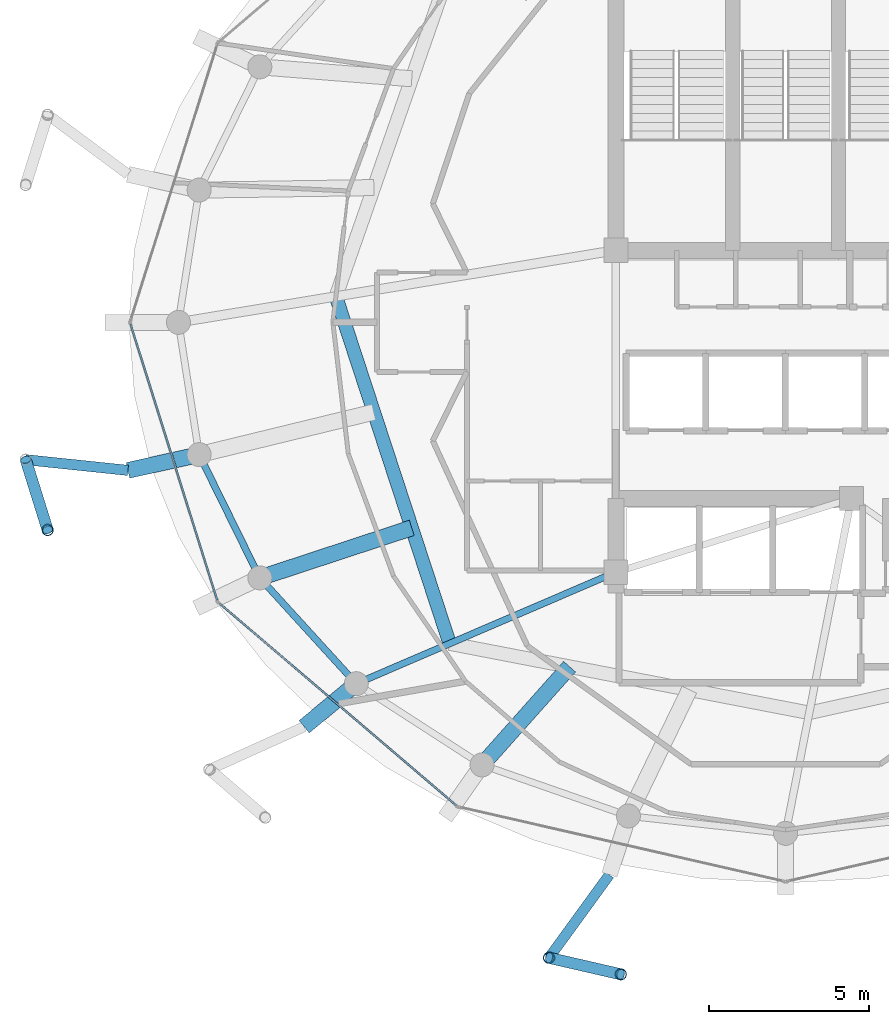
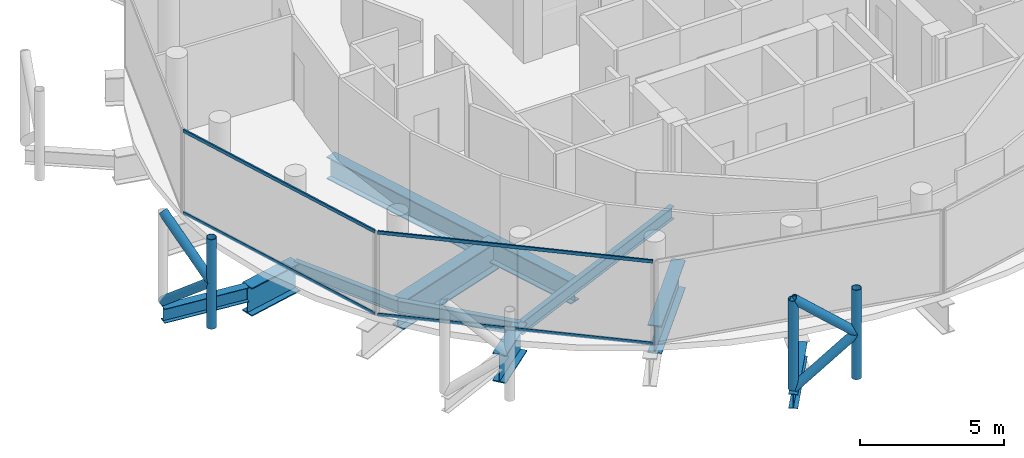
# One storey, part 3 of 25: 11 members, 10 beams, 2 elements without a shape of their own.
"""IFC4 building model written with IfcOpenShell, lengths in metres."""

import ifcopenshell
import ifcopenshell.guid

model = None  # the IFC model being written
_history = None  # IfcOwnerHistory: only IFC2X3 demands one
_inside = {}  # id of a spatial element -> (the spatial element, [elements in it])
_under = {}  # id of a project, library or spatial element -> (it, [spatial elements below it])
_declared = {}  # id of a project -> (the project, [libraries it declares])
_typed = {}  # id of a type object -> (the type object, [elements of that type])
_made_of = {}  # id of a material, layer set ... -> (it, [elements and type objects made of it])


def new_model(schema):
    """Start an empty IFC model of exactly this schema.

    Asked for "IFC4X3", IfcOpenShell would pick the latest addendum, in which some entities
    have other attributes; the version numbers below select the first issue.
    IFC2X3 requires an IfcOwnerHistory on every rooted entity: one is made here for all.
    """
    global model, _history
    if schema == "IFC4X3":
        model = ifcopenshell.file(schema_version=(4, 3, 0, 0))
    else:
        model = ifcopenshell.file(schema=schema)
    _inside.clear()
    _under.clear()
    _declared.clear()
    _typed.clear()
    _made_of.clear()
    _history = None
    if model.schema == "IFC2X3":
        org = make("IfcOrganization", Name="unknown")
        user = make(
            "IfcPersonAndOrganization",
            ThePerson=make("IfcPerson", FamilyName="unknown"),
            TheOrganization=org,
        )
        app = make(
            "IfcApplication",
            ApplicationDeveloper=org,
            Version="unknown",
            ApplicationFullName="unknown",
            ApplicationIdentifier="unknown",
        )
        _history = make(
            "IfcOwnerHistory",
            OwningUser=user,
            OwningApplication=app,
            ChangeAction="ADDED",
            CreationDate=0,
        )
    return model


def make(cls, **values):
    """One entity of the class cls with the attributes given. An attribute that is None is left unset."""
    return model.create_entity(
        cls, **{name: value for name, value in values.items() if value is not None}
    )


def rooted(cls, **values):
    """An entity with a GlobalId (a new one), such as an element, a storey or a relation."""
    return make(cls, GlobalId=ifcopenshell.guid.new(), OwnerHistory=_history, **values)


def si_unit(unit_type, name, prefix=None):
    """IfcSIUnit, for example si_unit("LENGTHUNIT", "METRE", prefix="MILLI")."""
    return make("IfcSIUnit", UnitType=unit_type, Prefix=prefix, Name=name)


def assignment(units):
    """IfcUnitAssignment: the units of a project."""
    return None if units is None else make("IfcUnitAssignment", Units=units)


def point(xyz):
    """IfcCartesianPoint."""
    return None if xyz is None else make("IfcCartesianPoint", Coordinates=xyz)


def direction(xyz):
    """IfcDirection."""
    return None if xyz is None else make("IfcDirection", DirectionRatios=xyz)


def frame(location, z_axis=None, x_axis=None):
    """IfcAxis2Placement3D, a coordinate frame: its origin and axes. An axis left out is left unset."""
    return make(
        "IfcAxis2Placement3D",
        Location=point(location),
        Axis=direction(z_axis),
        RefDirection=direction(x_axis),
    )


def frame_2d(location, x_axis=None):
    """IfcAxis2Placement2D, a coordinate frame in the plane: its origin and x axis."""
    return make(
        "IfcAxis2Placement2D", Location=point(location), RefDirection=direction(x_axis)
    )


def origin():
    """The frame at (0, 0, 0) with its axes left unset."""
    return frame((0.0, 0.0, 0.0))


def origin_2d():
    """The frame at (0, 0) in the plane with its x axis left unset."""
    return frame_2d((0.0, 0.0))


def place(relative_to, where):
    """IfcLocalPlacement: puts the frame where relative to a parent placement (None: the world)."""
    return make(
        "IfcLocalPlacement", PlacementRelTo=relative_to, RelativePlacement=where
    )


def context(
    kind, dimensions, precision=None, world=None, true_north=None, identifier=None
):
    """IfcGeometricRepresentationContext, for example the 3D "Model" context."""
    return make(
        "IfcGeometricRepresentationContext",
        ContextIdentifier=identifier,
        ContextType=kind,
        CoordinateSpaceDimension=dimensions,
        Precision=precision,
        WorldCoordinateSystem=world,
        TrueNorth=true_north,
    )


def subcontext(parent, identifier, kind, view, scale=None):
    """IfcGeometricRepresentationSubContext, for example "Body" below "Model"."""
    return make(
        "IfcGeometricRepresentationSubContext",
        ContextIdentifier=identifier,
        ContextType=kind,
        ParentContext=parent,
        TargetScale=scale,
        TargetView=view,
    )


def project(units=None, contexts=None):
    """IfcProject with its units and contexts."""
    return rooted(
        "IfcProject",
        Name="project",
        RepresentationContexts=contexts,
        UnitsInContext=assignment(units),
    )


def spatial(cls, under=None, at=None, **own):
    """A site, building, storey or space (cls), placed at a placement, below another one or the project."""
    s = rooted(cls, ObjectPlacement=at, **own)
    if under is not None:
        _under.setdefault(under.id(), (under, []))[1].append(s)
    return s


def profile(cls, at=None, kind="AREA", **sizes):
    """A parametric profile (cls). Its sizes go by their IFC names, for example OverallWidth=200.0."""
    return make(cls, ProfileType=kind, Position=at, **sizes)


def hollow_rectangle(**sizes):
    """IfcRectangleHollowProfileDef."""
    return profile("IfcRectangleHollowProfileDef", **sizes)


def hollow_circle(**sizes):
    """IfcCircleHollowProfileDef."""
    return profile("IfcCircleHollowProfileDef", **sizes)


def i_section(**sizes):
    """IfcIShapeProfileDef."""
    return profile("IfcIShapeProfileDef", **sizes)


def extrude(swept, where, along, depth):
    """IfcExtrudedAreaSolid: the profile swept, set in the frame where, extruded along a direction by depth."""
    return make(
        "IfcExtrudedAreaSolid",
        SweptArea=swept,
        Position=where,
        ExtrudedDirection=direction(along),
        Depth=depth,
    )


def shape(context_of_items, identifier, shape_type, items):
    """IfcShapeRepresentation: the items that make up one representation, for example the "Body"."""
    return make(
        "IfcShapeRepresentation",
        ContextOfItems=context_of_items,
        RepresentationIdentifier=identifier,
        RepresentationType=shape_type,
        Items=items,
    )


def material(Name=None, Category=None):
    """IfcMaterial."""
    return make("IfcMaterial", Name=Name, Category=Category)


def layer(
    of_material, thickness, ventilated=None, Name=None, Category=None, Priority=None
):
    """IfcMaterialLayer: one layer of a wall or slab, of a material (None: an air gap)."""
    return make(
        "IfcMaterialLayer",
        Material=of_material,
        LayerThickness=thickness,
        IsVentilated=ventilated,
        Name=Name,
        Category=Category,
        Priority=Priority,
    )


def layer_set(layers, Name=None):
    """IfcMaterialLayerSet."""
    return make("IfcMaterialLayerSet", MaterialLayers=layers, LayerSetName=Name)


def material_profile(
    of_material, cross_section, Name=None, Category=None, Priority=None
):
    """IfcMaterialProfile: a cross section and its material."""
    return make(
        "IfcMaterialProfile",
        Name=Name,
        Material=of_material,
        Profile=cross_section,
        Priority=Priority,
        Category=Category,
    )


def profile_set(profiles, Name=None, composite=None):
    """IfcMaterialProfileSet."""
    return make(
        "IfcMaterialProfileSet",
        Name=Name,
        MaterialProfiles=profiles,
        CompositeProfile=composite,
    )


def made_of(thing, what):
    """Note that an element or type object is made of a material, layer set ...; save() writes the relation."""
    if what is not None:
        _made_of.setdefault(what.id(), (what, []))[1].append(thing)
    return thing


def type_object(cls, material=None, **own):
    """A type object (cls), such as IfcWallType, which elements share."""
    return made_of(rooted(cls, **own), material)


def element(
    cls,
    number,
    at=None,
    inside=None,
    cuts=None,
    type_object=None,
    material=None,
    context=None,
    identifier="Body",
    shape_type=None,
    held_by="IfcProductDefinitionShape",
    body=None,
    shapes=None,
    **own,
):
    """One element of the class cls, such as IfcWall. Its Tag is "e" and its number.

    at: its placement. inside: the storey or other place that contains it. cuts: it is an
    opening in that element (IfcRelVoidsElement). A single representation is given by context,
    identifier, shape_type and body (its items); several are given by shapes. held_by: the class
    of the entity that holds the representations. save() writes the other relations.
    """
    e = rooted(cls, Tag="e%d" % number, ObjectPlacement=at, **own)
    if body is not None:
        shapes = [shape(context, identifier, shape_type, body)]
    if shapes is not None:
        e.Representation = make(held_by, Representations=shapes)
    if inside is not None:
        _inside.setdefault(inside.id(), (inside, []))[1].append(e)
    if cuts is not None:
        rooted(
            "IfcRelVoidsElement", RelatingBuildingElement=cuts, RelatedOpeningElement=e
        )
    if type_object is not None:
        _typed.setdefault(type_object.id(), (type_object, []))[1].append(e)
    return made_of(e, material)


def aggregate(whole, parts):
    """IfcRelAggregates: a whole, such as a stair, and the parts it consists of."""
    return rooted("IfcRelAggregates", RelatingObject=whole, RelatedObjects=parts)


def save(model, path):
    """Write the relations noted so far, then the file.

    IfcRelAggregates (storeys below a building ...), IfcRelContainedInSpatialStructure (elements
    in a storey), IfcRelDefinesByType, IfcRelAssociatesMaterial and IfcRelDeclares: one each for
    every whole, place, type object, material and project.
    """
    for whole, parts in _under.values():
        aggregate(whole, parts)
    for where, things in _inside.values():
        rooted(
            "IfcRelContainedInSpatialStructure",
            RelatedElements=things,
            RelatingStructure=where,
        )
    for kind, things in _typed.values():
        rooted("IfcRelDefinesByType", RelatedObjects=things, RelatingType=kind)
    for what, things in _made_of.values():
        rooted("IfcRelAssociatesMaterial", RelatedObjects=things, RelatingMaterial=what)
    for by, libraries in _declared.values():
        rooted("IfcRelDeclares", RelatingContext=by, RelatedDefinitions=libraries)
    model.write(path)


model = new_model("IFC4")

# Units and contexts
model_context = context("Model", 3, precision=1e-05, world=origin(), true_north=direction((0.0, 1.0)))
body_context = subcontext(model_context, "Body", "Model", "MODEL_VIEW")
ifc_project = project(units=[si_unit("LENGTHUNIT", "METRE"), si_unit("AREAUNIT", "SQUARE_METRE"), si_unit("VOLUMEUNIT", "CUBIC_METRE"), si_unit("PLANEANGLEUNIT", "RADIAN"), si_unit("MASSUNIT", "GRAM", prefix="KILO")], contexts=[model_context])

# Site, building, storey
site_placement = place(None, origin())
site = spatial("IfcSite", under=ifc_project, at=site_placement, CompositionType="ELEMENT")
building_placement = place(site_placement, origin())
building = spatial("IfcBuilding", under=site, at=building_placement, Name="Nuhasar Tower", CompositionType="ELEMENT")
storey_placement = place(building_placement, frame((0.0, 0.0, 255.60009765625)))
storey = spatial("IfcBuildingStorey", under=building, at=storey_placement, Name="L63", CompositionType="ELEMENT", Elevation=255.60009765625)

# Beams
ifc_material_1 = material(Name="Steel S355", Category="steel")
ifc_material_profile_1 = material_profile(ifc_material_1, i_section(OverallWidth=0.208984375, OverallDepth=0.528076171875, WebThickness=0.009521484375, FlangeThickness=0.01318359375, at=origin_2d()), Name="W21X55")
ifc_profile_set_1 = profile_set([ifc_material_profile_1], Name="Steel S355")
beam_type_1 = type_object("IfcBeamType", Name="BM-RAD-W21X55", PredefinedType="BEAM", material=ifc_profile_set_1)
beam_1_placement = place(storey_placement, frame((33.699951171875, 19.0, -0.524169921875), z_axis=(-0.91887119061, -0.394557644797, 0.0), x_axis=(0.394557644797, -0.91887119061, 0.0)))
element("IfcBeam", 1, at=beam_1_placement, inside=storey, type_object=beam_type_1, Name="L63 Radial Floor Girder 01", PredefinedType="BEAM", context=body_context, shape_type="SweptSolid", body=[
    extrude(i_section(OverallWidth=0.208984375, OverallDepth=0.528076171875, WebThickness=0.009521484375, FlangeThickness=0.01318359375, at=origin_2d()), origin(), (0.0, 0.0, 1.0), 8.81494140625),
])
ifc_material_profile_2 = material_profile(ifc_material_1, i_section(OverallWidth=0.2099609375, OverallDepth=0.537109375, WebThickness=0.010986328125, FlangeThickness=0.017333984375, at=origin_2d()), Name="W21X68")
ifc_profile_set_2 = profile_set([ifc_material_profile_2], Name="Steel S355")
beam_type_2 = type_object("IfcBeamType", Name="BM-RING-W21X68", PredefinedType="SPANDREL", material=ifc_profile_set_2)
beam_2_placement = place(storey_placement, frame((20.696044921875, 22.672119140625, -0.528076171875), z_axis=(0.441510561726, -0.897256052576, 0.0), x_axis=(0.897256052576, 0.441510561726, 0.0)))
element("IfcBeam", 2, at=beam_2_placement, inside=storey, type_object=beam_type_2, Name="L63 Perimeter Ring Spandrel 14", PredefinedType="SPANDREL", context=body_context, shape_type="SweptSolid", body=[
    extrude(i_section(OverallWidth=0.2099609375, OverallDepth=0.537109375, WebThickness=0.010986328125, FlangeThickness=0.017333984375, at=origin_2d()), origin(), (0.0, 0.0, 1.0), 4.28759765625),
])
beam_3_placement = place(storey_placement, frame((22.589111328125, 18.824951171875, -0.528076171875), z_axis=(0.673686302939, -0.739017432293, 0.0), x_axis=(0.739017432293, 0.673686302939, 0.0)))
element("IfcBeam", 3, at=beam_3_placement, inside=storey, type_object=beam_type_2, Name="L63 Perimeter Ring Spandrel 15", PredefinedType="SPANDREL", context=body_context, shape_type="SweptSolid", body=[
    extrude(i_section(OverallWidth=0.2099609375, OverallDepth=0.537109375, WebThickness=0.010986328125, FlangeThickness=0.017333984375, at=origin_2d()), origin(), (0.0, 0.0, 1.0), 4.469482421875),
])
ifc_material_profile_3 = material_profile(ifc_material_1, i_section(OverallWidth=0.323974609375, OverallDepth=0.611083984375, WebThickness=0.0126953125, FlangeThickness=0.01904296875, at=origin_2d()), Name="W24X104")
ifc_profile_set_3 = profile_set([ifc_material_profile_3], Name="Steel S355")
beam_type_3 = type_object("IfcBeamType", Name="BM-TIE-W24X104", PredefinedType="BEAM", material=ifc_profile_set_3)
beam_4_placement = place(storey_placement, frame((18.47412109375, 22.179931640625, -0.565185546875), z_axis=(-0.994571111079, 0.10405914187, 0.0), x_axis=(-0.10405914187, -0.994571111079, 0.0)))
element("IfcBeam", 4, at=beam_4_placement, inside=storey, type_object=beam_type_3, Name="L63 Exoskeleton Node Tie Beam 07", PredefinedType="BEAM", context=body_context, shape_type="SweptSolid", body=[
    extrude(i_section(OverallWidth=0.323974609375, OverallDepth=0.611083984375, WebThickness=0.0126953125, FlangeThickness=0.01904296875, at=origin_2d()), origin(), (0.0, 0.0, 1.0), 3.20947265625),
])
beam_5_placement = place(storey_placement, frame((33.5, 9.55810546875, -0.565185546875), z_axis=(-0.588094663461, -0.808792103577, 0.0), x_axis=(0.808792103577, -0.588094663461, 0.0)))
element("IfcBeam", 5, at=beam_5_placement, inside=storey, type_object=beam_type_3, Name="L63 Exoskeleton Node Tie Beam 09", PredefinedType="BEAM", context=body_context, shape_type="SweptSolid", body=[
    extrude(i_section(OverallWidth=0.323974609375, OverallDepth=0.611083984375, WebThickness=0.0126953125, FlangeThickness=0.01904296875, at=origin_2d()), origin(), (0.0, 0.0, 1.0), 3.20361328125),
])
ifc_material_2 = material(Name="Steel S460", Category="steel")
ifc_material_profile_4 = material_profile(ifc_material_2, i_section(OverallWidth=0.423095703125, OverallDepth=0.947998046875, WebThickness=0.02392578125, FlangeThickness=0.042724609375, at=origin_2d()), Name="W36X302")
ifc_profile_set_4 = profile_set([ifc_material_profile_4], Name="Steel S460")
beam_type_4 = type_object("IfcBeamType", Name="BM-TMD-W36X302", PredefinedType="USERDEFINED", material=ifc_profile_set_4)
beam_6_placement = place(storey_placement, frame((24.964111328125, 27.610107421875, -0.734130859375), z_axis=(0.311483801376, -0.950251462235, 0.0), x_axis=(0.950251462235, 0.311483801376, 0.0)))
element("IfcBeam", 6, at=beam_6_placement, inside=storey, type_object=beam_type_4, Name="L63 Inner Header Beam 08", ObjectType="GIRDER", PredefinedType="USERDEFINED", context=body_context, shape_type="SweptSolid", body=[
    extrude(i_section(OverallWidth=0.423095703125, OverallDepth=0.947998046875, WebThickness=0.02392578125, FlangeThickness=0.042724609375, at=origin_2d()), origin(), (0.0, 0.0, 1.0), 11.403564453125),
])
ifc_material_profile_5 = material_profile(ifc_material_2, i_section(OverallWidth=0.5, OverallDepth=1.199951171875, WebThickness=0.02587890625, FlangeThickness=0.044921875, at=origin_2d()), Name="PG1200X500")
ifc_profile_set_5 = profile_set([ifc_material_profile_5], Name="Steel S460")
beam_type_5 = type_object("IfcBeamType", Name="BM-XFER-PG1200", PredefinedType="USERDEFINED", material=ifc_profile_set_5)
beam_7_placement = place(storey_placement, frame((25.60009765625, 15.52197265625, -0.860107421875), z_axis=(-0.770776417447, -0.637105732439, 0.0), x_axis=(0.637105732439, -0.770776417447, 0.0)))
element("IfcBeam", 7, at=beam_7_placement, inside=storey, type_object=beam_type_5, Name="L63 Radial Step Transfer Girder 01", ObjectType="GIRDER", PredefinedType="USERDEFINED", context=body_context, shape_type="SweptSolid", body=[
    extrude(i_section(OverallWidth=0.5, OverallDepth=1.199951171875, WebThickness=0.02587890625, FlangeThickness=0.044921875, at=origin_2d()), origin(), (0.0, 0.0, 1.0), 2.109619140625),
])
beam_8_placement = place(storey_placement, frame((32.257080078125, 16.052978515625, -0.860107421875), z_axis=(-0.665304261365, -0.746572327246, 0.0), x_axis=(0.746572327246, -0.665304261365, 0.0)))
element("IfcBeam", 8, at=beam_8_placement, inside=storey, type_object=beam_type_5, Name="L63 Inner Column Transfer Girder 17", ObjectType="GIRDER", PredefinedType="USERDEFINED", context=body_context, shape_type="SweptSolid", body=[
    extrude(i_section(OverallWidth=0.5, OverallDepth=1.199951171875, WebThickness=0.02587890625, FlangeThickness=0.044921875, at=origin_2d()), origin(), (0.0, 0.0, 1.0), 4.106689453125),
])
beam_9_placement = place(storey_placement, frame((20.696044921875, 22.672119140625, -0.860107421875), z_axis=(-0.976333240217, -0.216271597877, 0.0), x_axis=(0.216271597877, -0.976333240217, 0.0)))
element("IfcBeam", 9, at=beam_9_placement, inside=storey, type_object=beam_type_5, Name="L63 Outer Column Step Transfer Girder 14", ObjectType="GIRDER", PredefinedType="USERDEFINED", context=body_context, shape_type="SweptSolid", body=[
    extrude(i_section(OverallWidth=0.5, OverallDepth=1.199951171875, WebThickness=0.02587890625, FlangeThickness=0.044921875, at=origin_2d()), origin(), (0.0, 0.0, 1.0), 2.27587890625),
])
beam_10_placement = place(storey_placement, frame((27.33203125, 20.385986328125, -0.860107421875), z_axis=(-0.949874407661, -0.312631747701, 0.0), x_axis=(0.312631747701, -0.949874407661, 0.0)))
element("IfcBeam", 10, at=beam_10_placement, inside=storey, type_object=beam_type_5, Name="L63 Inner Column Transfer Girder 15", ObjectType="GIRDER", PredefinedType="USERDEFINED", context=body_context, shape_type="SweptSolid", body=[
    extrude(i_section(OverallWidth=0.5, OverallDepth=1.199951171875, WebThickness=0.02587890625, FlangeThickness=0.044921875, at=origin_2d()), origin(), (0.0, 0.0, 1.0), 4.9931640625),
])

# Curtain wall, members
ifc_material_3 = material(Name="Aluminium 6063-T6", Category="aluminium")
ifc_layer = layer(ifc_material_3, 0.18994140625)
ifc_layer_set = layer_set([ifc_layer], Name="Aluminium 6063-T6")
curtain_wall_type = type_object("IfcCurtainWallType", Name="CW-Z4-PEN", PredefinedType="NOTDEFINED", material=ifc_layer_set)
curtain_wall_1_placement = place(storey_placement, origin())
curtain_wall_1 = element("IfcCurtainWall", 11, at=curtain_wall_1_placement, inside=storey, type_object=curtain_wall_type, Name="L63 Unitised Curtain Wall 07", PredefinedType="NOTDEFINED")
ifc_material_profile_6 = material_profile(ifc_material_3, hollow_rectangle(XDim=0.06005859375, YDim=0.135009765625, WallThickness=0.00439453125, at=origin_2d()), Name="CWT-5")
ifc_profile_set_6 = profile_set([ifc_material_profile_6], Name="Aluminium 6063-T6")
member_type_1 = type_object("IfcMemberType", Name="CW-TRN-S5", PredefinedType="USERDEFINED", material=ifc_profile_set_6)
member_1_placement = place(storey_placement, frame((18.557861328125, 26.74267578125, 0.02978515625), z_axis=(0.29956014073, -0.954077419335, 0.0), x_axis=(0.954077419335, 0.29956014073, 0.0)))
member_1 = element("IfcMember", 12, at=member_1_placement, type_object=member_type_1, Name="CW-Z4 transom 1.1", ObjectType="TRANSOM", PredefinedType="USERDEFINED", context=body_context, shape_type="SweptSolid", body=[
    extrude(hollow_rectangle(XDim=0.06005859375, YDim=0.135009765625, WallThickness=0.00439453125, at=origin_2d()), origin(), (0.0, 0.0, 1.0), 9.0302734375),
])
member_2_placement = place(storey_placement, frame((18.557861328125, 26.74267578125, 3.510009765625), z_axis=(0.29956014073, -0.954077419335, 0.0), x_axis=(0.954077419335, 0.29956014073, 0.0)))
member_2 = element("IfcMember", 13, at=member_2_placement, type_object=member_type_1, Name="CW-Z4 transom 1.2", ObjectType="TRANSOM", PredefinedType="USERDEFINED", context=body_context, shape_type="SweptSolid", body=[
    extrude(hollow_rectangle(XDim=0.06005859375, YDim=0.135009765625, WallThickness=0.00439453125, at=origin_2d()), origin(), (0.0, 0.0, 1.0), 9.0302734375),
])
aggregate(curtain_wall_1, [member_1, member_2])

curtain_wall_2_placement = place(storey_placement, origin())
curtain_wall_2 = element("IfcCurtainWall", 14, at=curtain_wall_2_placement, inside=storey, type_object=curtain_wall_type, Name="L63 Unitised Curtain Wall 08", PredefinedType="NOTDEFINED")
member_3_placement = place(storey_placement, frame((21.32666015625, 18.031005859375, 0.02978515625), z_axis=(0.760672431431, -0.649135927261, 0.0), x_axis=(0.649135927261, 0.760672431431, 0.0)))
member_3 = element("IfcMember", 15, at=member_3_placement, type_object=member_type_1, Name="CW-Z4 transom 1.1", ObjectType="TRANSOM", PredefinedType="USERDEFINED", context=body_context, shape_type="SweptSolid", body=[
    extrude(hollow_rectangle(XDim=0.06005859375, YDim=0.135009765625, WallThickness=0.00439453125, at=origin_2d()), origin(), (0.0, 0.0, 1.0), 9.72509765625),
])
member_4_placement = place(storey_placement, frame((21.32666015625, 18.031005859375, 3.510009765625), z_axis=(0.760672431431, -0.649135927261, 0.0), x_axis=(0.649135927261, 0.760672431431, 0.0)))
member_4 = element("IfcMember", 16, at=member_4_placement, type_object=member_type_1, Name="CW-Z4 transom 1.2", ObjectType="TRANSOM", PredefinedType="USERDEFINED", context=body_context, shape_type="SweptSolid", body=[
    extrude(hollow_rectangle(XDim=0.06005859375, YDim=0.135009765625, WallThickness=0.00439453125, at=origin_2d()), origin(), (0.0, 0.0, 1.0), 9.72509765625),
])
aggregate(curtain_wall_2, [member_3, member_4])

# Members
ifc_material_profile_7 = material_profile(ifc_material_2, hollow_circle(Radius=0.177734375, WallThickness=0.015869140625, at=origin_2d()), Name="HSS355.6X15.9")
ifc_profile_set_7 = profile_set([ifc_material_profile_7], Name="Steel S460")
member_type_2 = type_object("IfcMemberType", Name="EXO-BRONZE-356", PredefinedType="BRACE", material=ifc_profile_set_7)
for number, where, z_axis, x_axis, name in (
    (17, (15.967041015625, 20.319091796875, 0.0), (0.0, 0.0, 1.0), (1.0, 0.0, 0.0), "L63 Exoskeleton Chord Column EC-07B"),
    (18, (31.615966796875, 6.967041015625, 0.0), (0.0, 0.0, 1.0), (1.0, 0.0, 0.0), "L63 Exoskeleton Chord Column EC-09A"),
    (19, (33.85693359375, 6.450927734375, 0.0), (0.0, 0.0, 1.0), (1.0, 0.0, 0.0), "L63 Exoskeleton Chord Column EC-09B"),
):
    element("IfcMember", number, at=place(storey_placement, frame(where, z_axis=z_axis, x_axis=x_axis)), inside=storey, type_object=member_type_2, Name=name, PredefinedType="BRACE", context=body_context, shape_type="SweptSolid", body=[
        extrude(hollow_circle(Radius=0.177734375, WallThickness=0.015869140625, at=origin_2d()), origin(), (0.0, 0.0, 1.0), 3.7998046875),
    ])
for number, where, z_axis, x_axis, name in (
    (20, (15.281982421875, 22.513916015625, 0.0), (0.229681361446, -0.735864376122, 0.636985158507), (0.954581948223, 0.297948492404, 0.0), "L63 Bronze Diagrid Brace W1-07"),
    (21, (15.967041015625, 20.319091796875, 1.89990234375), (-0.229681361446, 0.735864376122, 0.636985158507), (-0.954581948223, -0.297948492404, 0.0), "L63 Bronze Diagrid Brace W2-07"),
):
    element("IfcMember", number, at=place(storey_placement, frame(where, z_axis=z_axis, x_axis=x_axis)), inside=storey, type_object=member_type_2, Name=name, PredefinedType="BRACE", context=body_context, shape_type="SweptSolid", body=[
        extrude(hollow_circle(Radius=0.177734375, WallThickness=0.015869140625, at=origin_2d()), origin(), (0.0, 0.0, 1.0), 2.982666015625),
    ])
for number, where, z_axis, x_axis, name in (
    (22, (31.615966796875, 6.967041015625, 0.0), (0.751260978137, -0.173021648086, 0.636922642103), (0.224433035437, 0.97448951385, 0.0), "L63 Bronze Diagrid Brace W1-09"),
    (23, (33.85693359375, 6.450927734375, 1.89990234375), (-0.751260978137, 0.173021648086, 0.636922642103), (-0.224433035437, -0.97448951385, 0.0), "L63 Bronze Diagrid Brace W2-09"),
):
    element("IfcMember", number, at=place(storey_placement, frame(where, z_axis=z_axis, x_axis=x_axis)), inside=storey, type_object=member_type_2, Name=name, PredefinedType="BRACE", context=body_context, shape_type="SweptSolid", body=[
        extrude(hollow_circle(Radius=0.177734375, WallThickness=0.015869140625, at=origin_2d()), origin(), (0.0, 0.0, 1.0), 2.98291015625),
    ])

save(model, "model.ifc")
